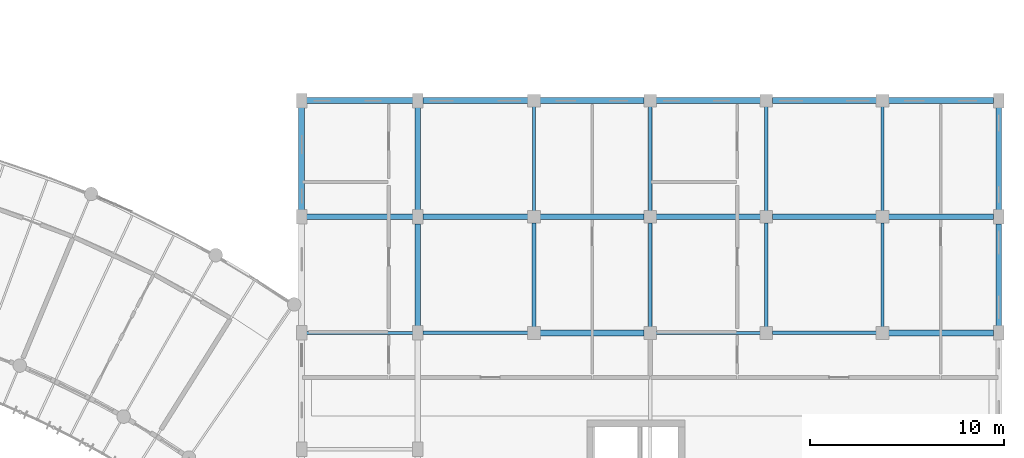
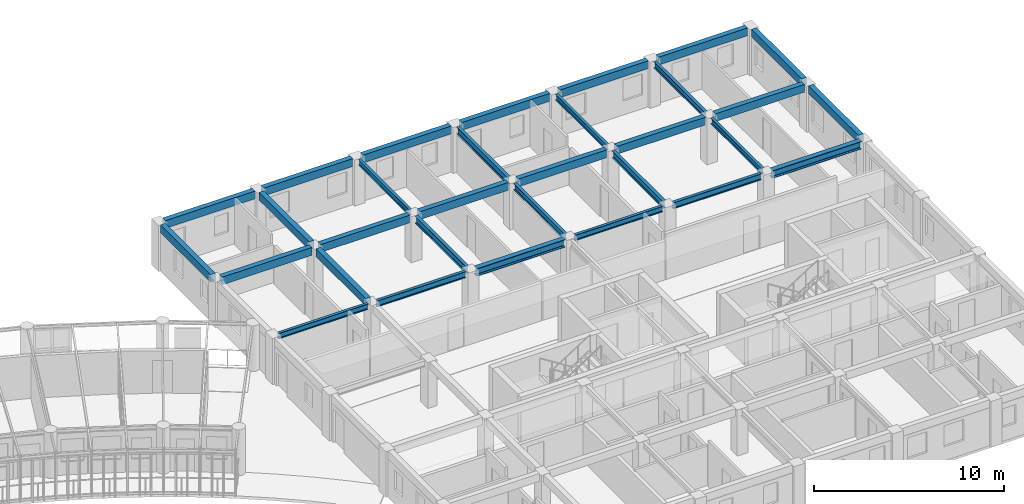
# One storey, part 40 of 100: 31 beams.
"""IFC4 building model written with IfcOpenShell, lengths in metres."""

from ifc_helpers import new_model, si_unit, direction, frame, origin, origin_2d, place, context, subcontext, project, spatial, rectangle, i_section, extrude, material, material_profile, profile_set, type_object, element, save


model = new_model("IFC4")

# Units and contexts
model_context = context("Model", 3, precision=1e-05, world=origin(), true_north=direction((0.0, 1.0)))
body_context = subcontext(model_context, "Body", "Model", "MODEL_VIEW")
ifc_project = project(units=[si_unit("LENGTHUNIT", "METRE"), si_unit("AREAUNIT", "SQUARE_METRE"), si_unit("VOLUMEUNIT", "CUBIC_METRE"), si_unit("PLANEANGLEUNIT", "RADIAN"), si_unit("MASSUNIT", "GRAM", prefix="KILO"), si_unit("POWERUNIT", "WATT"), si_unit("THERMODYNAMICTEMPERATUREUNIT", "KELVIN")], contexts=[model_context])

# Site, building, storey
site_placement = place(None, origin())
site = spatial("IfcSite", under=ifc_project, at=site_placement, CompositionType="ELEMENT")
building_placement = place(site_placement, origin())
building = spatial("IfcBuilding", under=site, at=building_placement, Name="Ruvembo Vaulted Housing Court", CompositionType="ELEMENT")
storey_placement = place(building_placement, frame((0.0, 0.0, 10.89990234375)))
storey = spatial("IfcBuildingStorey", under=building, at=storey_placement, Name="L03", CompositionType="ELEMENT", Elevation=10.89990234375)

# Beams
ifc_material_1 = material(Name="Steel S355J2", Category="steel")
ifc_material_profile_1 = material_profile(ifc_material_1, i_section(OverallWidth=0.300048828125, OverallDepth=0.5, WebThickness=0.014404296875, FlangeThickness=0.028076171875, FilletRadius=0.027099609375, at=origin_2d()), Name="HEB 320")
ifc_profile_set_1 = profile_set([ifc_material_profile_1], Name="Steel S355J2")
beam_type_1 = type_object("IfcBeamType", Name="BM-ST-HEB320", PredefinedType="BEAM", material=ifc_profile_set_1)
beam_1_placement = place(storey_placement, frame((162.31005859375, 96.0, 2.676025390625), z_axis=(1.0, 0.0, 0.0), x_axis=(0.0, 1.0, 0.0)))
element("IfcBeam", 1, at=beam_1_placement, inside=storey, type_object=beam_type_1, Name="L03 Grid Beam X #1823", PredefinedType="BEAM", context=body_context, shape_type="SweptSolid", body=[
    extrude(i_section(OverallWidth=0.300048828125, OverallDepth=0.5, WebThickness=0.014404296875, FlangeThickness=0.028076171875, FilletRadius=0.027099609375, at=origin_2d()), origin(), (0.0, 0.0, 1.0), 5.3798828125),
])
beam_2_placement = place(storey_placement, frame((180.31005859375, 96.0, 2.676025390625), z_axis=(1.0, 0.0, 0.0), x_axis=(0.0, 1.0, 0.0)))
element("IfcBeam", 2, at=beam_2_placement, inside=storey, type_object=beam_type_1, Name="L03 Grid Beam X #1826", PredefinedType="BEAM", context=body_context, shape_type="SweptSolid", body=[
    extrude(i_section(OverallWidth=0.300048828125, OverallDepth=0.5, WebThickness=0.014404296875, FlangeThickness=0.028076171875, FilletRadius=0.027099609375, at=origin_2d()), origin(), (0.0, 0.0, 1.0), 5.429931640625),
])
ifc_material_profile_2 = material_profile(ifc_material_1, i_section(OverallWidth=0.169921875, OverallDepth=0.360107421875, WebThickness=0.008056640625, FlangeThickness=0.0126953125, FilletRadius=0.01806640625, at=origin_2d()), Name="IPE 360")
ifc_profile_set_2 = profile_set([ifc_material_profile_2], Name="Steel S355J2")
beam_type_2 = type_object("IfcBeamType", Name="BM-ST-IPE360", PredefinedType="BEAM", material=ifc_profile_set_2)
beam_3_placement = place(storey_placement, frame((150.260009765625, 96.0, 2.74609375), z_axis=(1.0, 0.0, 0.0), x_axis=(0.0, 1.0, 0.0)))
element("IfcBeam", 3, at=beam_3_placement, inside=storey, type_object=beam_type_2, Name="L03 Grid Beam X #1821", PredefinedType="BEAM", context=body_context, shape_type="SweptSolid", body=[
    extrude(i_section(OverallWidth=0.169921875, OverallDepth=0.360107421875, WebThickness=0.008056640625, FlangeThickness=0.0126953125, FilletRadius=0.01806640625, at=origin_2d()), origin(), (0.0, 0.0, 1.0), 5.47998046875),
])
for number, where, z_axis, x_axis, name in (
    (4, (168.31005859375, 96.0, 2.74609375), (1.0, 0.0, 0.0), (0.0, 1.0, 0.0), "L03 Grid Beam X #1824"),
    (5, (162.0, 102.31005859375, 2.74609375), (0.0, 1.0, 0.0), (-1.0, 0.0, 0.0), "L03 Grid Beam Y #1977"),
    (6, (174.0, 102.31005859375, 2.74609375), (0.0, 1.0, 0.0), (-1.0, 0.0, 0.0), "L03 Grid Beam Y #1986"),
    (7, (180.0, 96.31005859375, 2.74609375), (0.0, 1.0, 0.0), (-1.0, 0.0, 0.0), "L03 Grid Beam Y #1989"),
):
    element("IfcBeam", number, at=place(storey_placement, frame(where, z_axis=z_axis, x_axis=x_axis)), inside=storey, type_object=beam_type_2, Name=name, PredefinedType="BEAM", context=body_context, shape_type="SweptSolid", body=[
        extrude(i_section(OverallWidth=0.169921875, OverallDepth=0.360107421875, WebThickness=0.008056640625, FlangeThickness=0.0126953125, FilletRadius=0.01806640625, at=origin_2d()), origin(), (0.0, 0.0, 1.0), 5.3798828125),
    ])
ifc_material_profile_3 = material_profile(ifc_material_1, i_section(OverallWidth=0.179931640625, OverallDepth=0.39990234375, WebThickness=0.008544921875, FlangeThickness=0.013427734375, FilletRadius=0.02099609375, at=origin_2d()), Name="IPE 400")
ifc_profile_set_3 = profile_set([ifc_material_profile_3], Name="Steel S355J2")
beam_type_3 = type_object("IfcBeamType", Name="BM-ST-IPE400", PredefinedType="BEAM", material=ifc_profile_set_3)
beam_4_placement = place(storey_placement, frame((156.260009765625, 96.0, 2.72607421875), z_axis=(1.0, 0.0, 0.0), x_axis=(0.0, 1.0, 0.0)))
element("IfcBeam", 8, at=beam_4_placement, inside=storey, type_object=beam_type_3, Name="L03 Grid Beam X #1822", PredefinedType="BEAM", context=body_context, shape_type="SweptSolid", body=[
    extrude(i_section(OverallWidth=0.179931640625, OverallDepth=0.39990234375, WebThickness=0.008544921875, FlangeThickness=0.013427734375, FilletRadius=0.02099609375, at=origin_2d()), origin(), (0.0, 0.0, 1.0), 5.429931640625),
])
for number, where, z_axis, x_axis, name in (
    (9, (174.31005859375, 96.0, 2.72607421875), (1.0, 0.0, 0.0), (0.0, 1.0, 0.0), "L03 Grid Beam X #1825"),
    (10, (168.0, 96.31005859375, 2.72607421875), (0.0, 1.0, 0.0), (-1.0, 0.0, 0.0), "L03 Grid Beam Y #1981"),
    (11, (180.0, 102.31005859375, 2.72607421875), (0.0, 1.0, 0.0), (-1.0, 0.0, 0.0), "L03 Grid Beam Y #1990"),
):
    element("IfcBeam", number, at=place(storey_placement, frame(where, z_axis=z_axis, x_axis=x_axis)), inside=storey, type_object=beam_type_3, Name=name, PredefinedType="BEAM", context=body_context, shape_type="SweptSolid", body=[
        extrude(i_section(OverallWidth=0.179931640625, OverallDepth=0.39990234375, WebThickness=0.008544921875, FlangeThickness=0.013427734375, FilletRadius=0.02099609375, at=origin_2d()), origin(), (0.0, 0.0, 1.0), 5.3798828125),
    ])
ifc_material_profile_4 = material_profile(ifc_material_1, i_section(OverallWidth=0.18994140625, OverallDepth=0.449951171875, WebThickness=0.009521484375, FlangeThickness=0.0146484375, FilletRadius=0.02099609375, at=origin_2d()), Name="IPE 450")
ifc_profile_set_4 = profile_set([ifc_material_profile_4], Name="Steel S355J2")
beam_type_4 = type_object("IfcBeamType", Name="BM-ST-IPE450", PredefinedType="BEAM", material=ifc_profile_set_4)
for number, where, z_axis, x_axis, name in (
    (12, (162.0, 96.31005859375, 2.701171875), (0.0, 1.0, 0.0), (-1.0, 0.0, 0.0), "L03 Grid Beam Y #1976"),
    (13, (168.0, 102.31005859375, 2.701171875), (0.0, 1.0, 0.0), (-1.0, 0.0, 0.0), "L03 Grid Beam Y #1982"),
    (14, (174.0, 96.31005859375, 2.701171875), (0.0, 1.0, 0.0), (-1.0, 0.0, 0.0), "L03 Grid Beam Y #1985"),
):
    element("IfcBeam", number, at=place(storey_placement, frame(where, z_axis=z_axis, x_axis=x_axis)), inside=storey, type_object=beam_type_4, Name=name, PredefinedType="BEAM", context=body_context, shape_type="SweptSolid", body=[
        extrude(i_section(OverallWidth=0.18994140625, OverallDepth=0.449951171875, WebThickness=0.009521484375, FlangeThickness=0.0146484375, FilletRadius=0.02099609375, at=origin_2d()), origin(), (0.0, 0.0, 1.0), 5.3798828125),
    ])
ifc_material_2 = material(Name="Concrete C35/45", Category="concrete")
ifc_material_profile_5 = material_profile(ifc_material_2, rectangle(XDim=0.300048828125, YDim=0.5, at=origin_2d()), Name="RC 300x500")
ifc_profile_set_5 = profile_set([ifc_material_profile_5], Name="Concrete C35/45")
beam_type_5 = type_object("IfcBeamType", Name="SP-RC-300x500", PredefinedType="SPANDREL", material=ifc_profile_set_5)
beam_5_placement = place(storey_placement, frame((150.260009765625, 102.0, 2.710205078125), z_axis=(1.0, 0.0, 0.0), x_axis=(0.0, 1.0, 0.0)))
element("IfcBeam", 15, at=beam_5_placement, inside=storey, type_object=beam_type_5, Name="L03 Grid Beam X #1833", PredefinedType="SPANDREL", context=body_context, shape_type="SweptSolid", body=[
    extrude(rectangle(XDim=0.300048828125, YDim=0.5, at=origin_2d()), origin(), (0.0, 0.0, 1.0), 5.47998046875),
])
beam_6_placement = place(storey_placement, frame((156.260009765625, 102.0, 2.710205078125), z_axis=(1.0, 0.0, 0.0), x_axis=(0.0, 1.0, 0.0)))
element("IfcBeam", 16, at=beam_6_placement, inside=storey, type_object=beam_type_5, Name="L03 Grid Beam X #1834", PredefinedType="SPANDREL", context=body_context, shape_type="SweptSolid", body=[
    extrude(rectangle(XDim=0.300048828125, YDim=0.5, at=origin_2d()), origin(), (0.0, 0.0, 1.0), 5.429931640625),
])
for number, where, z_axis, x_axis, name in (
    (17, (162.31005859375, 102.0, 2.710205078125), (1.0, 0.0, 0.0), (0.0, 1.0, 0.0), "L03 Grid Beam X #1835"),
    (18, (168.31005859375, 102.0, 2.710205078125), (1.0, 0.0, 0.0), (0.0, 1.0, 0.0), "L03 Grid Beam X #1836"),
    (19, (174.31005859375, 102.0, 2.710205078125), (1.0, 0.0, 0.0), (0.0, 1.0, 0.0), "L03 Grid Beam X #1837"),
):
    element("IfcBeam", number, at=place(storey_placement, frame(where, z_axis=z_axis, x_axis=x_axis)), inside=storey, type_object=beam_type_5, Name=name, PredefinedType="SPANDREL", context=body_context, shape_type="SweptSolid", body=[
        extrude(rectangle(XDim=0.300048828125, YDim=0.5, at=origin_2d()), origin(), (0.0, 0.0, 1.0), 5.3798828125),
    ])
beam_7_placement = place(storey_placement, frame((180.31005859375, 102.0, 2.710205078125), z_axis=(1.0, 0.0, 0.0), x_axis=(0.0, 1.0, 0.0)))
element("IfcBeam", 20, at=beam_7_placement, inside=storey, type_object=beam_type_5, Name="L03 Grid Beam X #1838", PredefinedType="SPANDREL", context=body_context, shape_type="SweptSolid", body=[
    extrude(rectangle(XDim=0.300048828125, YDim=0.5, at=origin_2d()), origin(), (0.0, 0.0, 1.0), 5.429931640625),
])
beam_8_placement = place(storey_placement, frame((150.260009765625, 108.0, 2.710205078125), z_axis=(1.0, 0.0, 0.0), x_axis=(0.0, 1.0, 0.0)))
element("IfcBeam", 21, at=beam_8_placement, inside=storey, type_object=beam_type_5, Name="L03 Grid Beam X #1845", PredefinedType="SPANDREL", context=body_context, shape_type="SweptSolid", body=[
    extrude(rectangle(XDim=0.300048828125, YDim=0.5, at=origin_2d()), origin(), (0.0, 0.0, 1.0), 5.47998046875),
])
beam_9_placement = place(storey_placement, frame((156.260009765625, 108.0, 2.710205078125), z_axis=(1.0, 0.0, 0.0), x_axis=(0.0, 1.0, 0.0)))
element("IfcBeam", 22, at=beam_9_placement, inside=storey, type_object=beam_type_5, Name="L03 Grid Beam X #1846", PredefinedType="SPANDREL", context=body_context, shape_type="SweptSolid", body=[
    extrude(rectangle(XDim=0.300048828125, YDim=0.5, at=origin_2d()), origin(), (0.0, 0.0, 1.0), 5.429931640625),
])
for number, where, z_axis, x_axis, name in (
    (23, (162.31005859375, 108.0, 2.710205078125), (1.0, 0.0, 0.0), (0.0, 1.0, 0.0), "L03 Grid Beam X #1847"),
    (24, (168.31005859375, 108.0, 2.710205078125), (1.0, 0.0, 0.0), (0.0, 1.0, 0.0), "L03 Grid Beam X #1848"),
    (25, (174.31005859375, 108.0, 2.710205078125), (1.0, 0.0, 0.0), (0.0, 1.0, 0.0), "L03 Grid Beam X #1849"),
):
    element("IfcBeam", number, at=place(storey_placement, frame(where, z_axis=z_axis, x_axis=x_axis)), inside=storey, type_object=beam_type_5, Name=name, PredefinedType="SPANDREL", context=body_context, shape_type="SweptSolid", body=[
        extrude(rectangle(XDim=0.300048828125, YDim=0.5, at=origin_2d()), origin(), (0.0, 0.0, 1.0), 5.3798828125),
    ])
beam_10_placement = place(storey_placement, frame((180.31005859375, 108.0, 2.710205078125), z_axis=(1.0, 0.0, 0.0), x_axis=(0.0, 1.0, 0.0)))
element("IfcBeam", 26, at=beam_10_placement, inside=storey, type_object=beam_type_5, Name="L03 Grid Beam X #1850", PredefinedType="SPANDREL", context=body_context, shape_type="SweptSolid", body=[
    extrude(rectangle(XDim=0.300048828125, YDim=0.5, at=origin_2d()), origin(), (0.0, 0.0, 1.0), 5.429931640625),
])
for number, where, z_axis, x_axis, name in (
    (27, (150.0, 102.360107421875, 2.710205078125), (0.0, 1.0, 0.0), (-1.0, 0.0, 0.0), "L03 Grid Beam Y #1967"),
    (28, (156.0, 96.360107421875, 2.710205078125), (0.0, 1.0, 0.0), (-1.0, 0.0, 0.0), "L03 Grid Beam Y #1972"),
    (29, (156.0, 102.360107421875, 2.710205078125), (0.0, 1.0, 0.0), (-1.0, 0.0, 0.0), "L03 Grid Beam Y #1973"),
    (30, (186.0, 96.360107421875, 2.710205078125), (0.0, 1.0, 0.0), (-1.0, 0.0, 0.0), "L03 Grid Beam Y #1995"),
    (31, (186.0, 102.360107421875, 2.710205078125), (0.0, 1.0, 0.0), (-1.0, 0.0, 0.0), "L03 Grid Beam Y #1996"),
):
    element("IfcBeam", number, at=place(storey_placement, frame(where, z_axis=z_axis, x_axis=x_axis)), inside=storey, type_object=beam_type_5, Name=name, PredefinedType="SPANDREL", context=body_context, shape_type="SweptSolid", body=[
        extrude(rectangle(XDim=0.300048828125, YDim=0.5, at=origin_2d()), origin(), (0.0, 0.0, 1.0), 5.27978515625),
    ])

save(model, "model.ifc")
